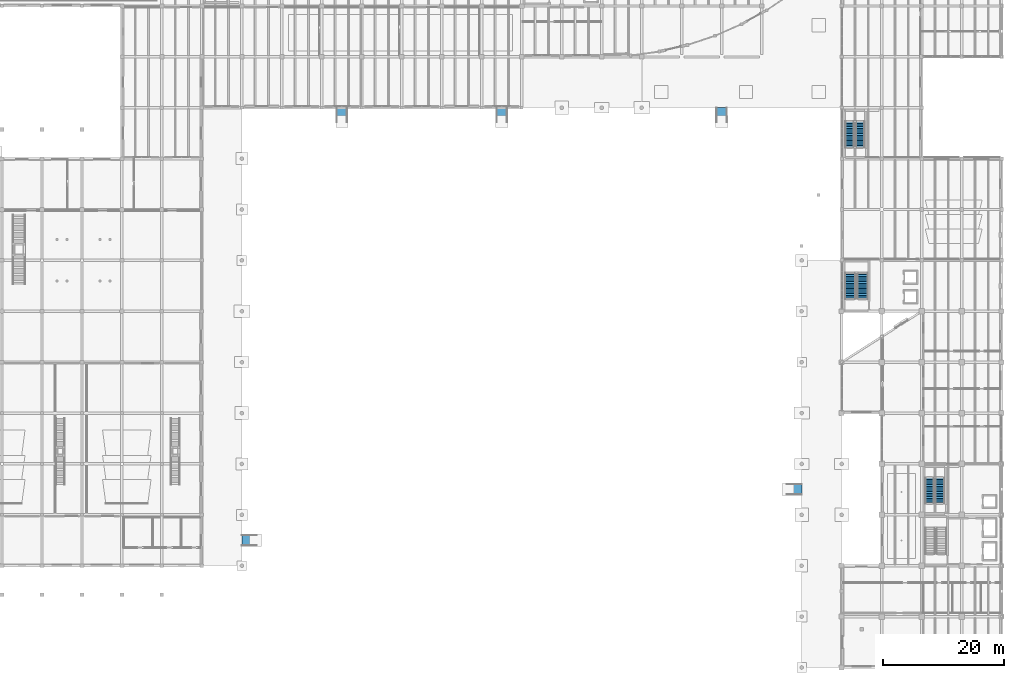
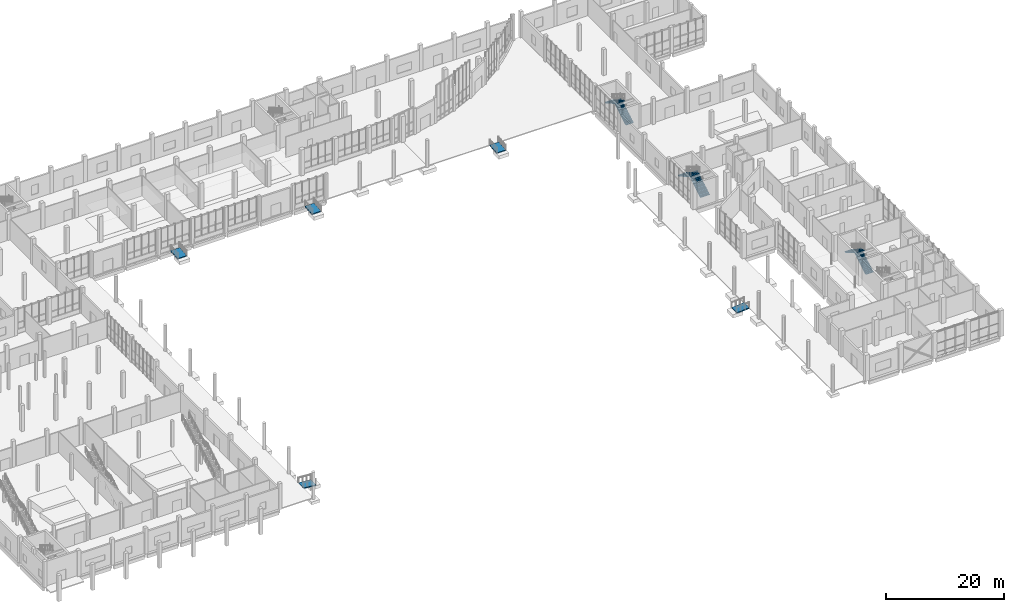
# One storey, part 52 of 64: 6 stair flights, 5 ramp flights, 8 elements without a shape of their own.
"""IFC4 building model written with IfcOpenShell, lengths in metres."""

from ifc_helpers import new_model, si_unit, direction, frame, origin, place, context, subcontext, project, spatial, polyline, outline, extrude, material, layer, layer_set, type_object, element, aggregate, save


model = new_model("IFC4")

# Units and contexts
model_context = context("Model", 3, precision=1e-05, world=origin(), true_north=direction((0.0, 1.0)))
body_context = subcontext(model_context, "Body", "Model", "MODEL_VIEW")
ifc_project = project(units=[si_unit("LENGTHUNIT", "METRE"), si_unit("AREAUNIT", "SQUARE_METRE"), si_unit("VOLUMEUNIT", "CUBIC_METRE"), si_unit("PLANEANGLEUNIT", "RADIAN"), si_unit("MASSUNIT", "GRAM", prefix="KILO")], contexts=[model_context])

# Site, building, storey
site_placement = place(None, origin())
site = spatial("IfcSite", under=ifc_project, at=site_placement, CompositionType="ELEMENT")
building_placement = place(site_placement, origin())
building = spatial("IfcBuilding", under=site, at=building_placement, Name="Qaldarim Faculty of Natural and Applied Sciences", CompositionType="ELEMENT")
storey_placement = place(building_placement, origin())
storey = spatial("IfcBuildingStorey", under=building, at=storey_placement, Name="L00", CompositionType="ELEMENT", Elevation=0.0)

# Stair, stair flights
ifc_material = material(Name="Concrete C40/50", Category="concrete")
stair_type_1 = type_object("IfcStairType", Name="DoglegStair-W1500-H5400-32R", PredefinedType="HALF_TURN_STAIR", material=ifc_material)
stair_1_placement = place(storey_placement, origin())
stair_1 = element("IfcStair", 1, at=stair_1_placement, inside=storey, type_object=stair_type_1, Name="Enclosed exit stair ST-A2 L00", PredefinedType="HALF_TURN_STAIR")
stair_flight_type_1 = type_object("IfcStairFlightType", Name="StairFlight-W1500-16R", PredefinedType="STRAIGHT", material=ifc_material)
stair_flight_1_placement = place(storey_placement, frame((168.050048828125, 27.050048828125, 0.0), z_axis=(0.0, 0.0, 1.0), x_axis=(0.0, 1.0, 0.0)))
stair_flight_1 = element("IfcStairFlight", 2, at=stair_flight_1_placement, type_object=stair_flight_type_1, Name="ST-A2 L00 flight 1", NumberOfRisers=16, NumberOfTreads=15, PredefinedType="STRAIGHT", RiserHeight=0.16875, TreadLength=0.285, context=body_context, shape_type="SweptSolid", body=[
    extrude(outline(polyline([(0.0, 0.0), (0.0, 0.168701171875), (0.284912109375, 0.168701171875), (0.284912109375, 0.33740234375), (0.570068359375, 0.33740234375), (0.570068359375, 0.50634765625), (0.85498046875, 0.50634765625), (0.85498046875, 0.675048828125), (1.139892578125, 0.675048828125), (1.139892578125, 0.84375), (1.425048828125, 0.84375), (1.425048828125, 1.012451171875), (1.7099609375, 1.012451171875), (1.7099609375, 1.18115234375), (1.9951171875, 1.18115234375), (1.9951171875, 1.35009765625), (2.280029296875, 1.35009765625), (2.280029296875, 1.518798828125), (2.56494140625, 1.518798828125), (2.56494140625, 1.6875), (2.85009765625, 1.6875), (2.85009765625, 1.856201171875), (3.135009765625, 1.856201171875), (3.135009765625, 2.02490234375), (3.419921875, 2.02490234375), (3.419921875, 2.19384765625), (3.705078125, 2.19384765625), (3.705078125, 2.362548828125), (3.989990234375, 2.362548828125), (3.989990234375, 2.53125), (4.27490234375, 2.53125), (4.27490234375, 2.699951171875), (4.27490234375, 2.35693359375), (0.294189453125, 0.0), (0.0, 0.0)])), frame((0.0, 0.75, 0.0), z_axis=(0.0, -1.0, 0.0), x_axis=(1.0, 0.0, 0.0)), (0.0, 0.0, 1.0), 1.5),
])
stair_flight_2_placement = place(storey_placement, frame((166.35009765625, 31.324951171875, 2.699951171875), z_axis=(0.0, 0.0, 1.0), x_axis=(0.0, -1.0, 0.0)))
stair_flight_2 = element("IfcStairFlight", 3, at=stair_flight_2_placement, type_object=stair_flight_type_1, Name="ST-A2 L00 flight 2", NumberOfRisers=16, NumberOfTreads=15, PredefinedType="STRAIGHT", RiserHeight=0.16875, TreadLength=0.285, context=body_context, shape_type="SweptSolid", body=[
    extrude(outline(polyline([(0.0, 0.0), (0.0, 0.168701171875), (0.284912109375, 0.168701171875), (0.284912109375, 0.33740234375), (0.570068359375, 0.33740234375), (0.570068359375, 0.50634765625), (0.85498046875, 0.50634765625), (0.85498046875, 0.675048828125), (1.139892578125, 0.675048828125), (1.139892578125, 0.84375), (1.425048828125, 0.84375), (1.425048828125, 1.012451171875), (1.7099609375, 1.012451171875), (1.7099609375, 1.18115234375), (1.9951171875, 1.18115234375), (1.9951171875, 1.35009765625), (2.280029296875, 1.35009765625), (2.280029296875, 1.518798828125), (2.56494140625, 1.518798828125), (2.56494140625, 1.6875), (2.85009765625, 1.6875), (2.85009765625, 1.856201171875), (3.135009765625, 1.856201171875), (3.135009765625, 2.02490234375), (3.419921875, 2.02490234375), (3.419921875, 2.19384765625), (3.705078125, 2.19384765625), (3.705078125, 2.362548828125), (3.989990234375, 2.362548828125), (3.989990234375, 2.53125), (4.27490234375, 2.53125), (4.27490234375, 2.699951171875), (4.27490234375, 2.35693359375), (0.294189453125, 0.0), (0.0, 0.0)])), frame((0.0, 0.75, 0.0), z_axis=(0.0, -1.0, 0.0), x_axis=(1.0, 0.0, 0.0)), (0.0, 0.0, 1.0), 1.5),
])
aggregate(stair_1, [stair_flight_1, stair_flight_2])

stair_2_placement = place(storey_placement, origin())
stair_2 = element("IfcStair", 4, at=stair_2_placement, inside=storey, type_object=stair_type_1, Name="Enclosed exit stair ST-C2 L00", PredefinedType="HALF_TURN_STAIR")
stair_flight_3_placement = place(storey_placement, frame((154.85009765625, 85.85009765625, 0.0), z_axis=(0.0, 0.0, 1.0), x_axis=(0.0, 1.0, 0.0)))
stair_flight_3 = element("IfcStairFlight", 5, at=stair_flight_3_placement, type_object=stair_flight_type_1, Name="ST-C2 L00 flight 1", NumberOfRisers=16, NumberOfTreads=15, PredefinedType="STRAIGHT", RiserHeight=0.16875, TreadLength=0.285, context=body_context, shape_type="SweptSolid", body=[
    extrude(outline(polyline([(0.0, 0.0), (0.0, 0.168701171875), (0.284912109375, 0.168701171875), (0.284912109375, 0.33740234375), (0.570068359375, 0.33740234375), (0.570068359375, 0.50634765625), (0.85498046875, 0.50634765625), (0.85498046875, 0.675048828125), (1.139892578125, 0.675048828125), (1.139892578125, 0.84375), (1.425048828125, 0.84375), (1.425048828125, 1.012451171875), (1.7099609375, 1.012451171875), (1.7099609375, 1.18115234375), (1.9951171875, 1.18115234375), (1.9951171875, 1.35009765625), (2.280029296875, 1.35009765625), (2.280029296875, 1.518798828125), (2.56494140625, 1.518798828125), (2.56494140625, 1.6875), (2.85009765625, 1.6875), (2.85009765625, 1.856201171875), (3.135009765625, 1.856201171875), (3.135009765625, 2.02490234375), (3.419921875, 2.02490234375), (3.419921875, 2.19384765625), (3.705078125, 2.19384765625), (3.705078125, 2.362548828125), (3.989990234375, 2.362548828125), (3.989990234375, 2.53125), (4.27490234375, 2.53125), (4.27490234375, 2.699951171875), (4.27490234375, 2.35693359375), (0.294189453125, 0.0), (0.0, 0.0)])), frame((0.0, 0.75, 0.0), z_axis=(0.0, -1.0, 0.0), x_axis=(1.0, 0.0, 0.0)), (0.0, 0.0, 1.0), 1.5),
])
stair_flight_4_placement = place(storey_placement, frame((153.14990234375, 90.125, 2.699951171875), z_axis=(0.0, 0.0, 1.0), x_axis=(0.0, -1.0, 0.0)))
stair_flight_4 = element("IfcStairFlight", 6, at=stair_flight_4_placement, type_object=stair_flight_type_1, Name="ST-C2 L00 flight 2", NumberOfRisers=16, NumberOfTreads=15, PredefinedType="STRAIGHT", RiserHeight=0.16875, TreadLength=0.285, context=body_context, shape_type="SweptSolid", body=[
    extrude(outline(polyline([(0.0, 0.0), (0.0, 0.168701171875), (0.284912109375, 0.168701171875), (0.284912109375, 0.33740234375), (0.570068359375, 0.33740234375), (0.570068359375, 0.50634765625), (0.85498046875, 0.50634765625), (0.85498046875, 0.675048828125), (1.139892578125, 0.675048828125), (1.139892578125, 0.84375), (1.425048828125, 0.84375), (1.425048828125, 1.012451171875), (1.7099609375, 1.012451171875), (1.7099609375, 1.18115234375), (1.9951171875, 1.18115234375), (1.9951171875, 1.35009765625), (2.280029296875, 1.35009765625), (2.280029296875, 1.518798828125), (2.56494140625, 1.518798828125), (2.56494140625, 1.6875), (2.85009765625, 1.6875), (2.85009765625, 1.856201171875), (3.135009765625, 1.856201171875), (3.135009765625, 2.02490234375), (3.419921875, 2.02490234375), (3.419921875, 2.19384765625), (3.705078125, 2.19384765625), (3.705078125, 2.362548828125), (3.989990234375, 2.362548828125), (3.989990234375, 2.53125), (4.27490234375, 2.53125), (4.27490234375, 2.699951171875), (4.27490234375, 2.35693359375), (0.294189453125, 0.0), (0.0, 0.0)])), frame((0.0, 0.75, 0.0), z_axis=(0.0, -1.0, 0.0), x_axis=(1.0, 0.0, 0.0)), (0.0, 0.0, 1.0), 1.5),
])
aggregate(stair_2, [stair_flight_3, stair_flight_4])

stair_type_2 = type_object("IfcStairType", Name="DoglegStair-W1800-H5400-32R", PredefinedType="HALF_TURN_STAIR", material=ifc_material)
stair_3_placement = place(storey_placement, origin())
stair_3 = element("IfcStair", 7, at=stair_3_placement, inside=storey, type_object=stair_type_2, Name="Enclosed exit stair ST-C1 L00", PredefinedType="HALF_TURN_STAIR")
stair_flight_type_2 = type_object("IfcStairFlightType", Name="StairFlight-W1800-16R", PredefinedType="STRAIGHT", material=ifc_material)
stair_flight_5_placement = place(storey_placement, frame((155.25, 60.85009765625, 0.0), z_axis=(0.0, 0.0, 1.0), x_axis=(0.0, 1.0, 0.0)))
stair_flight_5 = element("IfcStairFlight", 8, at=stair_flight_5_placement, type_object=stair_flight_type_2, Name="ST-C1 L00 flight 1", NumberOfRisers=16, NumberOfTreads=15, PredefinedType="STRAIGHT", RiserHeight=0.16875, TreadLength=0.285, context=body_context, shape_type="SweptSolid", body=[
    extrude(outline(polyline([(0.0, 0.0), (0.0, 0.168701171875), (0.284912109375, 0.168701171875), (0.284912109375, 0.33740234375), (0.570068359375, 0.33740234375), (0.570068359375, 0.50634765625), (0.85498046875, 0.50634765625), (0.85498046875, 0.675048828125), (1.139892578125, 0.675048828125), (1.139892578125, 0.84375), (1.425048828125, 0.84375), (1.425048828125, 1.012451171875), (1.7099609375, 1.012451171875), (1.7099609375, 1.18115234375), (1.9951171875, 1.18115234375), (1.9951171875, 1.35009765625), (2.280029296875, 1.35009765625), (2.280029296875, 1.518798828125), (2.56494140625, 1.518798828125), (2.56494140625, 1.6875), (2.85009765625, 1.6875), (2.85009765625, 1.856201171875), (3.135009765625, 1.856201171875), (3.135009765625, 2.02490234375), (3.419921875, 2.02490234375), (3.419921875, 2.19384765625), (3.705078125, 2.19384765625), (3.705078125, 2.362548828125), (3.989990234375, 2.362548828125), (3.989990234375, 2.53125), (4.27490234375, 2.53125), (4.27490234375, 2.699951171875), (4.27490234375, 2.35693359375), (0.294189453125, 0.0), (0.0, 0.0)])), frame((0.0, 0.89990234375, 0.0), z_axis=(0.0, -1.0, 0.0), x_axis=(1.0, 0.0, 0.0)), (0.0, 0.0, 1.0), 1.800048828125),
])
stair_flight_6_placement = place(storey_placement, frame((153.25, 65.125, 2.699951171875), z_axis=(0.0, 0.0, 1.0), x_axis=(0.0, -1.0, 0.0)))
stair_flight_6 = element("IfcStairFlight", 9, at=stair_flight_6_placement, type_object=stair_flight_type_2, Name="ST-C1 L00 flight 2", NumberOfRisers=16, NumberOfTreads=15, PredefinedType="STRAIGHT", RiserHeight=0.16875, TreadLength=0.285, context=body_context, shape_type="SweptSolid", body=[
    extrude(outline(polyline([(0.0, 0.0), (0.0, 0.168701171875), (0.284912109375, 0.168701171875), (0.284912109375, 0.33740234375), (0.570068359375, 0.33740234375), (0.570068359375, 0.50634765625), (0.85498046875, 0.50634765625), (0.85498046875, 0.675048828125), (1.139892578125, 0.675048828125), (1.139892578125, 0.84375), (1.425048828125, 0.84375), (1.425048828125, 1.012451171875), (1.7099609375, 1.012451171875), (1.7099609375, 1.18115234375), (1.9951171875, 1.18115234375), (1.9951171875, 1.35009765625), (2.280029296875, 1.35009765625), (2.280029296875, 1.518798828125), (2.56494140625, 1.518798828125), (2.56494140625, 1.6875), (2.85009765625, 1.6875), (2.85009765625, 1.856201171875), (3.135009765625, 1.856201171875), (3.135009765625, 2.02490234375), (3.419921875, 2.02490234375), (3.419921875, 2.19384765625), (3.705078125, 2.19384765625), (3.705078125, 2.362548828125), (3.989990234375, 2.362548828125), (3.989990234375, 2.53125), (4.27490234375, 2.53125), (4.27490234375, 2.699951171875), (4.27490234375, 2.35693359375), (0.294189453125, 0.0), (0.0, 0.0)])), frame((0.0, 0.89990234375, 0.0), z_axis=(0.0, -1.0, 0.0), x_axis=(1.0, 0.0, 0.0)), (0.0, 0.0, 1.0), 1.800048828125),
])
aggregate(stair_3, [stair_flight_5, stair_flight_6])

# Ramp, ramp flight
ramp_type_1 = type_object("IfcRampType", Name="PedestrianAccessibleRamp-2-1800", PredefinedType="STRAIGHT_RUN_RAMP", material=ifc_material)
ramp_1_placement = place(storey_placement, origin())
ramp_1 = element("IfcRamp", 10, at=ramp_1_placement, inside=storey, type_object=ramp_type_1, Name="West civic square accessible ramp RMP02", PredefinedType="STRAIGHT_RUN_RAMP")
ifc_layer = layer(ifc_material, 0.219970703125)
ifc_layer_set = layer_set([ifc_layer], Name="Concrete C40/50")
ramp_flight_type = type_object("IfcRampFlightType", Name="PedestrianRampFlight-1800", PredefinedType="STRAIGHT", material=ifc_layer_set)
ramp_flight_1_placement = place(storey_placement, frame((55.199951171875, 21.0, -0.199951171875), z_axis=(0.0, 0.0, 1.0), x_axis=(-1.0, 0.0, 0.0)))
ramp_flight_1 = element("IfcRampFlight", 11, at=ramp_flight_1_placement, type_object=ramp_flight_type, Name="West civic square accessible ramp flight", PredefinedType="STRAIGHT", context=body_context, shape_type="SweptSolid", body=[
    extrude(outline(polyline([(0.0, 0.0), (2.419921875, 0.199951171875), (2.419921875, -0.02001953125), (0.0, -0.219970703125), (0.0, 0.0)])), frame((0.0, 0.89990234375, 0.0), z_axis=(0.0, -1.0, 0.0), x_axis=(1.0, 0.0, 0.0)), (0.0, 0.0, 1.0), 1.800048828125),
])
aggregate(ramp_1, [ramp_flight_1])

ramp_type_2 = type_object("IfcRampType", Name="PedestrianAccessibleRamp-3-1800", PredefinedType="STRAIGHT_RUN_RAMP", material=ifc_material)
ramp_2_placement = place(storey_placement, origin())
ramp_2 = element("IfcRamp", 12, at=ramp_2_placement, inside=storey, type_object=ramp_type_2, Name="Central square west accessible ramp RMP03", PredefinedType="STRAIGHT_RUN_RAMP")
ramp_flight_2_placement = place(storey_placement, frame((69.300048828125, 90.0, -0.199951171875), z_axis=(0.0, 0.0, 1.0), x_axis=(0.0, 1.0, 0.0)))
ramp_flight_2 = element("IfcRampFlight", 13, at=ramp_flight_2_placement, type_object=ramp_flight_type, Name="Central square west accessible ramp flight", PredefinedType="STRAIGHT", context=body_context, shape_type="SweptSolid", body=[
    extrude(outline(polyline([(0.0, 0.0), (2.419921875, 0.199951171875), (2.419921875, -0.02001953125), (0.0, -0.219970703125), (0.0, 0.0)])), frame((0.0, 0.89990234375, 0.0), z_axis=(0.0, -1.0, 0.0), x_axis=(1.0, 0.0, 0.0)), (0.0, 0.0, 1.0), 1.800048828125),
])
aggregate(ramp_2, [ramp_flight_2])

ramp_type_3 = type_object("IfcRampType", Name="PedestrianAccessibleRamp-4-1800", PredefinedType="STRAIGHT_RUN_RAMP", material=ifc_material)
ramp_3_placement = place(storey_placement, origin())
ramp_3 = element("IfcRamp", 14, at=ramp_3_placement, inside=storey, type_object=ramp_type_3, Name="Central square east accessible ramp RMP04", PredefinedType="STRAIGHT_RUN_RAMP")
ramp_flight_3_placement = place(storey_placement, frame((95.699951171875, 90.0, -0.199951171875), z_axis=(0.0, 0.0, 1.0), x_axis=(0.0, 1.0, 0.0)))
ramp_flight_3 = element("IfcRampFlight", 15, at=ramp_flight_3_placement, type_object=ramp_flight_type, Name="Central square east accessible ramp flight", PredefinedType="STRAIGHT", context=body_context, shape_type="SweptSolid", body=[
    extrude(outline(polyline([(0.0, 0.0), (2.419921875, 0.199951171875), (2.419921875, -0.02001953125), (0.0, -0.219970703125), (0.0, 0.0)])), frame((0.0, 0.89990234375, 0.0), z_axis=(0.0, -1.0, 0.0), x_axis=(1.0, 0.0, 0.0)), (0.0, 0.0, 1.0), 1.800048828125),
])
aggregate(ramp_3, [ramp_flight_3])

ramp_type_4 = type_object("IfcRampType", Name="PedestrianAccessibleRamp-5-1800", PredefinedType="STRAIGHT_RUN_RAMP", material=ifc_material)
ramp_4_placement = place(storey_placement, origin())
ramp_4 = element("IfcRamp", 16, at=ramp_4_placement, inside=storey, type_object=ramp_type_4, Name="Swept portal plaza accessible ramp RMP05", PredefinedType="STRAIGHT_RUN_RAMP")
ramp_flight_4_placement = place(storey_placement, frame((132.0, 90.0, -0.199951171875), z_axis=(0.0, 0.0, 1.0), x_axis=(0.0, 1.0, 0.0)))
ramp_flight_4 = element("IfcRampFlight", 17, at=ramp_flight_4_placement, type_object=ramp_flight_type, Name="Swept portal plaza accessible ramp flight", PredefinedType="STRAIGHT", context=body_context, shape_type="SweptSolid", body=[
    extrude(outline(polyline([(0.0, 0.0), (2.419921875, 0.199951171875), (2.419921875, -0.02001953125), (0.0, -0.219970703125), (0.0, 0.0)])), frame((0.0, 0.89990234375, 0.0), z_axis=(0.0, -1.0, 0.0), x_axis=(1.0, 0.0, 0.0)), (0.0, 0.0, 1.0), 1.800048828125),
])
aggregate(ramp_4, [ramp_flight_4])

ramp_type_5 = type_object("IfcRampType", Name="PedestrianAccessibleRamp-6-1800", PredefinedType="STRAIGHT_RUN_RAMP", material=ifc_material)
ramp_5_placement = place(storey_placement, origin())
ramp_5 = element("IfcRamp", 18, at=ramp_5_placement, inside=storey, type_object=ramp_type_5, Name="East arcade accessible ramp RMP06", PredefinedType="STRAIGHT_RUN_RAMP")
ramp_flight_5_placement = place(storey_placement, frame((142.800048828125, 29.39990234375, -0.199951171875), z_axis=(0.0, 0.0, 1.0), x_axis=(1.0, 0.0, 0.0)))
ramp_flight_5 = element("IfcRampFlight", 19, at=ramp_flight_5_placement, type_object=ramp_flight_type, Name="East arcade accessible ramp flight", PredefinedType="STRAIGHT", context=body_context, shape_type="SweptSolid", body=[
    extrude(outline(polyline([(0.0, 0.0), (2.419921875, 0.199951171875), (2.419921875, -0.02001953125), (0.0, -0.219970703125), (0.0, 0.0)])), frame((0.0, 0.89990234375, 0.0), z_axis=(0.0, -1.0, 0.0), x_axis=(1.0, 0.0, 0.0)), (0.0, 0.0, 1.0), 1.800048828125),
])
aggregate(ramp_5, [ramp_flight_5])

save(model, "model.ifc")
